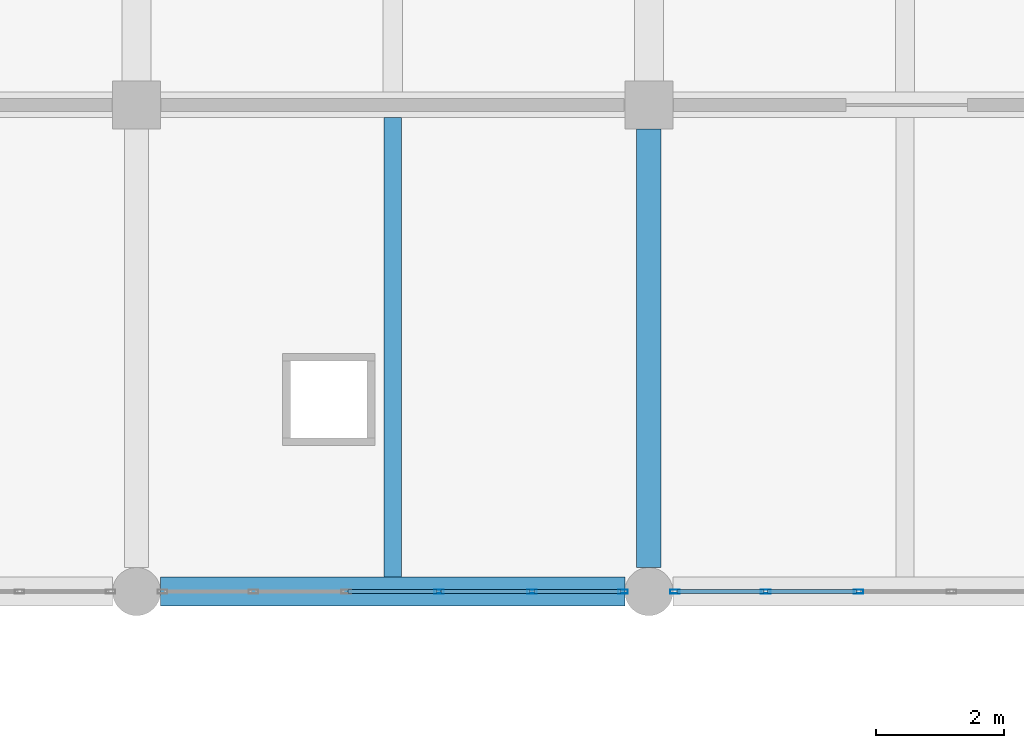
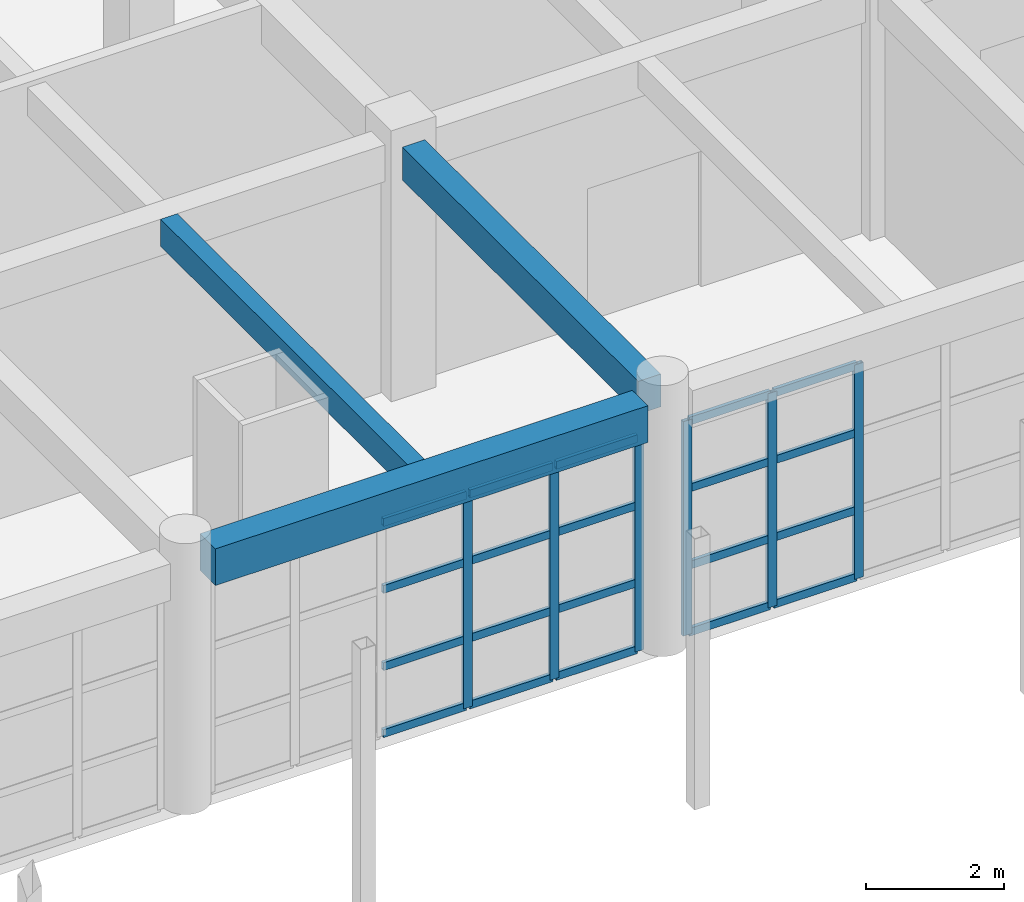
# One storey, part 57 of 101: 26 members, 3 beams, 2 elements without a shape of their own.
"""IFC4 building model written with IfcOpenShell, lengths in metres."""

from ifc_helpers import new_model, si_unit, direction, frame, origin, origin_2d, place, context, subcontext, project, spatial, rectangle, hollow_rectangle, extrude, material, material_profile, profile_set, type_object, element, aggregate, save


model = new_model("IFC4")

# Units and contexts
model_context = context("Model", 3, precision=1e-05, world=origin(), true_north=direction((0.0, 1.0)))
body_context = subcontext(model_context, "Body", "Model", "MODEL_VIEW")
ifc_project = project(units=[si_unit("LENGTHUNIT", "METRE"), si_unit("AREAUNIT", "SQUARE_METRE"), si_unit("VOLUMEUNIT", "CUBIC_METRE"), si_unit("PLANEANGLEUNIT", "RADIAN"), si_unit("MASSUNIT", "GRAM", prefix="KILO")], contexts=[model_context])

# Site, building, storey
site_placement = place(None, origin())
site = spatial("IfcSite", under=ifc_project, at=site_placement, CompositionType="ELEMENT")
building_placement = place(site_placement, origin())
building = spatial("IfcBuilding", under=site, at=building_placement, Name="Zantavel Square City Hall", CompositionType="ELEMENT")
storey_placement = place(building_placement, frame((0.0, 0.0, 5.39990234375)))
storey = spatial("IfcBuildingStorey", under=building, at=storey_placement, Name="L02", CompositionType="ELEMENT", Elevation=5.39990234375)

# Beam
ifc_material_1 = material(Name="Concrete C35/45", Category="concrete")
ifc_material_profile_1 = material_profile(ifc_material_1, rectangle(XDim=0.3798828125, YDim=0.580078125, at=origin_2d()), Name="RC 380x580")
ifc_profile_set_1 = profile_set([ifc_material_profile_1], Name="Concrete C35/45")
beam_type_1 = type_object("IfcBeamType", Name="Annex Secondary Beam RC 380x580 C35/45", PredefinedType="BEAM", material=ifc_profile_set_1)
beam_1_placement = place(storey_placement, frame((144.0, 68.77490234375, 4.16015625), z_axis=(0.0, 1.0, 0.0), x_axis=(-1.0, 0.0, 0.0)))
element("IfcBeam", 1, at=beam_1_placement, inside=storey, type_object=beam_type_1, Name="L02 Beam BMY-L02-1440-0684", PredefinedType="BEAM", context=body_context, shape_type="SweptSolid", body=[
    extrude(rectangle(XDim=0.3798828125, YDim=0.580078125, at=origin_2d()), origin(), (0.0, 0.0, 1.0), 6.85009765625),
])

# Curtain wall, members
ifc_material_2 = material(Name="Anodised aluminium 6063-T6", Category="aluminium")
curtain_wall_type = type_object("IfcCurtainWallType", Name="Curtain Wall CRT 7250x3800", PredefinedType="USERDEFINED", material=ifc_material_2)
curtain_wall_1_placement = place(storey_placement, origin())
curtain_wall_1 = element("IfcCurtainWall", 2, at=curtain_wall_1_placement, inside=storey, type_object=curtain_wall_type, Name="L02 Glazed Curtain Wall CW-L02-059", ObjectType="GLAZED CURTAIN WALL", PredefinedType="USERDEFINED")
ifc_material_profile_2 = material_profile(ifc_material_2, hollow_rectangle(XDim=0.06494140625, YDim=0.14990234375, WallThickness=0.00390625, at=origin_2d()), Name="ALU 65x150x4")
ifc_profile_set_2 = profile_set([ifc_material_profile_2], Name="Anodised aluminium 6063-T6")
member_type_1 = type_object("IfcMemberType", Name="CW Mullion ALU 65x150x4", PredefinedType="MULLION", material=ifc_profile_set_2)
member_1_placement = place(storey_placement, frame((147.27490234375, 68.39990234375, 0.0), z_axis=(0.0, 0.0, 1.0), x_axis=(0.0, -1.0, 0.0)))
member_1 = element("IfcMember", 3, at=member_1_placement, type_object=member_type_1, Name="CW-059 mullion 4", PredefinedType="MULLION", context=body_context, shape_type="SweptSolid", body=[
    extrude(hollow_rectangle(XDim=0.06494140625, YDim=0.14990234375, WallThickness=0.00390625, at=origin_2d()), origin(), (0.0, 0.0, 1.0), 3.800048828125),
])
member_2_placement = place(storey_placement, frame((145.824951171875, 68.39990234375, 0.0), z_axis=(0.0, 0.0, 1.0), x_axis=(0.0, -1.0, 0.0)))
member_2 = element("IfcMember", 4, at=member_2_placement, type_object=member_type_1, Name="CW-059 mullion 5", PredefinedType="MULLION", context=body_context, shape_type="SweptSolid", body=[
    extrude(hollow_rectangle(XDim=0.06494140625, YDim=0.14990234375, WallThickness=0.00390625, at=origin_2d()), origin(), (0.0, 0.0, 1.0), 3.800048828125),
])
member_3_placement = place(storey_placement, frame((144.405029296875, 68.39990234375, 0.0), z_axis=(0.0, 0.0, 1.0), x_axis=(0.0, -1.0, 0.0)))
member_3 = element("IfcMember", 5, at=member_3_placement, type_object=member_type_1, Name="CW-059 mullion 6", PredefinedType="MULLION", context=body_context, shape_type="SweptSolid", body=[
    extrude(hollow_rectangle(XDim=0.06494140625, YDim=0.14990234375, WallThickness=0.00390625, at=origin_2d()), origin(), (0.0, 0.0, 1.0), 3.800048828125),
])

curtain_wall_2_placement = place(storey_placement, origin())
curtain_wall_2 = element("IfcCurtainWall", 6, at=curtain_wall_2_placement, inside=storey, type_object=curtain_wall_type, Name="L02 Glazed Curtain Wall CW-L02-060", ObjectType="GLAZED CURTAIN WALL", PredefinedType="USERDEFINED")
member_4_placement = place(storey_placement, frame((143.594970703125, 68.39990234375, 0.0), z_axis=(0.0, 0.0, 1.0), x_axis=(0.0, -1.0, 0.0)))
member_4 = element("IfcMember", 7, at=member_4_placement, type_object=member_type_1, Name="CW-060 mullion 1", PredefinedType="MULLION", context=body_context, shape_type="SweptSolid", body=[
    extrude(hollow_rectangle(XDim=0.06494140625, YDim=0.14990234375, WallThickness=0.00390625, at=origin_2d()), origin(), (0.0, 0.0, 1.0), 3.800048828125),
])
member_5_placement = place(storey_placement, frame((142.175048828125, 68.39990234375, 0.0), z_axis=(0.0, 0.0, 1.0), x_axis=(0.0, -1.0, 0.0)))
member_5 = element("IfcMember", 8, at=member_5_placement, type_object=member_type_1, Name="CW-060 mullion 2", PredefinedType="MULLION", context=body_context, shape_type="SweptSolid", body=[
    extrude(hollow_rectangle(XDim=0.06494140625, YDim=0.14990234375, WallThickness=0.00390625, at=origin_2d()), origin(), (0.0, 0.0, 1.0), 3.800048828125),
])
member_6_placement = place(storey_placement, frame((140.72509765625, 68.39990234375, 0.0), z_axis=(0.0, 0.0, 1.0), x_axis=(0.0, -1.0, 0.0)))
member_6 = element("IfcMember", 9, at=member_6_placement, type_object=member_type_1, Name="CW-060 mullion 3", PredefinedType="MULLION", context=body_context, shape_type="SweptSolid", body=[
    extrude(hollow_rectangle(XDim=0.06494140625, YDim=0.14990234375, WallThickness=0.00390625, at=origin_2d()), origin(), (0.0, 0.0, 1.0), 3.800048828125),
])

# Member
ifc_material_profile_3 = material_profile(ifc_material_2, hollow_rectangle(XDim=0.06005859375, YDim=0.139892578125, WallThickness=0.00390625, at=origin_2d()), Name="ALU 60x140x4")
ifc_profile_set_3 = profile_set([ifc_material_profile_3], Name="Anodised aluminium 6063-T6")
member_type_2 = type_object("IfcMemberType", Name="CW Transom ALU 60x140x4", PredefinedType="USERDEFINED", material=ifc_profile_set_3)
member_7_placement = place(storey_placement, frame((147.2451171875, 68.39990234375, 0.030029296875), z_axis=(-1.0, 0.0, 0.0), x_axis=(0.0, -1.0, 0.0)))
member_7 = element("IfcMember", 10, at=member_7_placement, type_object=member_type_2, Name="CW-059 transom 4.1", ObjectType="TRANSOM", PredefinedType="USERDEFINED", context=body_context, shape_type="SweptSolid", body=[
    extrude(hollow_rectangle(XDim=0.06005859375, YDim=0.139892578125, WallThickness=0.00390625, at=origin_2d()), origin(), (0.0, 0.0, 1.0), 1.39013671875),
])

member_8_placement = place(storey_placement, frame((147.2451171875, 68.39990234375, 1.216064453125), z_axis=(-1.0, 0.0, 0.0), x_axis=(0.0, -1.0, 0.0)))
member_8 = element("IfcMember", 11, at=member_8_placement, type_object=member_type_2, Name="CW-059 transom 4.2", ObjectType="TRANSOM", PredefinedType="USERDEFINED", context=body_context, shape_type="SweptSolid", body=[
    extrude(hollow_rectangle(XDim=0.06005859375, YDim=0.139892578125, WallThickness=0.00390625, at=origin_2d()), origin(), (0.0, 0.0, 1.0), 1.39013671875),
])

member_9_placement = place(storey_placement, frame((147.2451171875, 68.39990234375, 2.583984375), z_axis=(-1.0, 0.0, 0.0), x_axis=(0.0, -1.0, 0.0)))
member_9 = element("IfcMember", 12, at=member_9_placement, type_object=member_type_2, Name="CW-059 transom 4.3", ObjectType="TRANSOM", PredefinedType="USERDEFINED", context=body_context, shape_type="SweptSolid", body=[
    extrude(hollow_rectangle(XDim=0.06005859375, YDim=0.139892578125, WallThickness=0.00390625, at=origin_2d()), origin(), (0.0, 0.0, 1.0), 1.39013671875),
])

member_10_placement = place(storey_placement, frame((147.2451171875, 68.39990234375, 3.77001953125), z_axis=(-1.0, 0.0, 0.0), x_axis=(0.0, -1.0, 0.0)))
member_10 = element("IfcMember", 13, at=member_10_placement, type_object=member_type_2, Name="CW-059 transom 4.4", ObjectType="TRANSOM", PredefinedType="USERDEFINED", context=body_context, shape_type="SweptSolid", body=[
    extrude(hollow_rectangle(XDim=0.06005859375, YDim=0.139892578125, WallThickness=0.00390625, at=origin_2d()), origin(), (0.0, 0.0, 1.0), 1.39013671875),
])

member_11_placement = place(storey_placement, frame((145.794921875, 68.39990234375, 0.030029296875), z_axis=(-1.0, 0.0, 0.0), x_axis=(0.0, -1.0, 0.0)))
member_11 = element("IfcMember", 14, at=member_11_placement, type_object=member_type_2, Name="CW-059 transom 5.1", ObjectType="TRANSOM", PredefinedType="USERDEFINED", context=body_context, shape_type="SweptSolid", body=[
    extrude(hollow_rectangle(XDim=0.06005859375, YDim=0.139892578125, WallThickness=0.00390625, at=origin_2d()), origin(), (0.0, 0.0, 1.0), 1.35986328125),
])

member_12_placement = place(storey_placement, frame((145.794921875, 68.39990234375, 1.216064453125), z_axis=(-1.0, 0.0, 0.0), x_axis=(0.0, -1.0, 0.0)))
member_12 = element("IfcMember", 15, at=member_12_placement, type_object=member_type_2, Name="CW-059 transom 5.2", ObjectType="TRANSOM", PredefinedType="USERDEFINED", context=body_context, shape_type="SweptSolid", body=[
    extrude(hollow_rectangle(XDim=0.06005859375, YDim=0.139892578125, WallThickness=0.00390625, at=origin_2d()), origin(), (0.0, 0.0, 1.0), 1.35986328125),
])

member_13_placement = place(storey_placement, frame((145.794921875, 68.39990234375, 2.583984375), z_axis=(-1.0, 0.0, 0.0), x_axis=(0.0, -1.0, 0.0)))
member_13 = element("IfcMember", 16, at=member_13_placement, type_object=member_type_2, Name="CW-059 transom 5.3", ObjectType="TRANSOM", PredefinedType="USERDEFINED", context=body_context, shape_type="SweptSolid", body=[
    extrude(hollow_rectangle(XDim=0.06005859375, YDim=0.139892578125, WallThickness=0.00390625, at=origin_2d()), origin(), (0.0, 0.0, 1.0), 1.35986328125),
])

member_14_placement = place(storey_placement, frame((145.794921875, 68.39990234375, 3.77001953125), z_axis=(-1.0, 0.0, 0.0), x_axis=(0.0, -1.0, 0.0)))
member_14 = element("IfcMember", 17, at=member_14_placement, type_object=member_type_2, Name="CW-059 transom 5.4", ObjectType="TRANSOM", PredefinedType="USERDEFINED", context=body_context, shape_type="SweptSolid", body=[
    extrude(hollow_rectangle(XDim=0.06005859375, YDim=0.139892578125, WallThickness=0.00390625, at=origin_2d()), origin(), (0.0, 0.0, 1.0), 1.35986328125),
])

aggregate(curtain_wall_1, [member_1, member_2, member_3, member_7, member_8, member_9, member_10, member_11, member_12, member_13, member_14])

member_15_placement = place(storey_placement, frame((143.56494140625, 68.39990234375, 0.030029296875), z_axis=(-1.0, 0.0, 0.0), x_axis=(0.0, -1.0, 0.0)))
member_15 = element("IfcMember", 18, at=member_15_placement, type_object=member_type_2, Name="CW-060 transom 1.1", ObjectType="TRANSOM", PredefinedType="USERDEFINED", context=body_context, shape_type="SweptSolid", body=[
    extrude(hollow_rectangle(XDim=0.06005859375, YDim=0.139892578125, WallThickness=0.00390625, at=origin_2d()), origin(), (0.0, 0.0, 1.0), 1.35986328125),
])

member_16_placement = place(storey_placement, frame((143.56494140625, 68.39990234375, 1.216064453125), z_axis=(-1.0, 0.0, 0.0), x_axis=(0.0, -1.0, 0.0)))
member_16 = element("IfcMember", 19, at=member_16_placement, type_object=member_type_2, Name="CW-060 transom 1.2", ObjectType="TRANSOM", PredefinedType="USERDEFINED", context=body_context, shape_type="SweptSolid", body=[
    extrude(hollow_rectangle(XDim=0.06005859375, YDim=0.139892578125, WallThickness=0.00390625, at=origin_2d()), origin(), (0.0, 0.0, 1.0), 1.35986328125),
])

member_17_placement = place(storey_placement, frame((143.56494140625, 68.39990234375, 2.583984375), z_axis=(-1.0, 0.0, 0.0), x_axis=(0.0, -1.0, 0.0)))
member_17 = element("IfcMember", 20, at=member_17_placement, type_object=member_type_2, Name="CW-060 transom 1.3", ObjectType="TRANSOM", PredefinedType="USERDEFINED", context=body_context, shape_type="SweptSolid", body=[
    extrude(hollow_rectangle(XDim=0.06005859375, YDim=0.139892578125, WallThickness=0.00390625, at=origin_2d()), origin(), (0.0, 0.0, 1.0), 1.35986328125),
])

member_18_placement = place(storey_placement, frame((143.56494140625, 68.39990234375, 3.77001953125), z_axis=(-1.0, 0.0, 0.0), x_axis=(0.0, -1.0, 0.0)))
member_18 = element("IfcMember", 21, at=member_18_placement, type_object=member_type_2, Name="CW-060 transom 1.4", ObjectType="TRANSOM", PredefinedType="USERDEFINED", context=body_context, shape_type="SweptSolid", body=[
    extrude(hollow_rectangle(XDim=0.06005859375, YDim=0.139892578125, WallThickness=0.00390625, at=origin_2d()), origin(), (0.0, 0.0, 1.0), 1.35986328125),
])

member_19_placement = place(storey_placement, frame((142.14501953125, 68.39990234375, 0.030029296875), z_axis=(-1.0, 0.0, 0.0), x_axis=(0.0, -1.0, 0.0)))
member_19 = element("IfcMember", 22, at=member_19_placement, type_object=member_type_2, Name="CW-060 transom 2.1", ObjectType="TRANSOM", PredefinedType="USERDEFINED", context=body_context, shape_type="SweptSolid", body=[
    extrude(hollow_rectangle(XDim=0.06005859375, YDim=0.139892578125, WallThickness=0.00390625, at=origin_2d()), origin(), (0.0, 0.0, 1.0), 1.39013671875),
])

member_20_placement = place(storey_placement, frame((142.14501953125, 68.39990234375, 1.216064453125), z_axis=(-1.0, 0.0, 0.0), x_axis=(0.0, -1.0, 0.0)))
member_20 = element("IfcMember", 23, at=member_20_placement, type_object=member_type_2, Name="CW-060 transom 2.2", ObjectType="TRANSOM", PredefinedType="USERDEFINED", context=body_context, shape_type="SweptSolid", body=[
    extrude(hollow_rectangle(XDim=0.06005859375, YDim=0.139892578125, WallThickness=0.00390625, at=origin_2d()), origin(), (0.0, 0.0, 1.0), 1.39013671875),
])

member_21_placement = place(storey_placement, frame((142.14501953125, 68.39990234375, 2.583984375), z_axis=(-1.0, 0.0, 0.0), x_axis=(0.0, -1.0, 0.0)))
member_21 = element("IfcMember", 24, at=member_21_placement, type_object=member_type_2, Name="CW-060 transom 2.3", ObjectType="TRANSOM", PredefinedType="USERDEFINED", context=body_context, shape_type="SweptSolid", body=[
    extrude(hollow_rectangle(XDim=0.06005859375, YDim=0.139892578125, WallThickness=0.00390625, at=origin_2d()), origin(), (0.0, 0.0, 1.0), 1.39013671875),
])

member_22_placement = place(storey_placement, frame((142.14501953125, 68.39990234375, 3.77001953125), z_axis=(-1.0, 0.0, 0.0), x_axis=(0.0, -1.0, 0.0)))
member_22 = element("IfcMember", 25, at=member_22_placement, type_object=member_type_2, Name="CW-060 transom 2.4", ObjectType="TRANSOM", PredefinedType="USERDEFINED", context=body_context, shape_type="SweptSolid", body=[
    extrude(hollow_rectangle(XDim=0.06005859375, YDim=0.139892578125, WallThickness=0.00390625, at=origin_2d()), origin(), (0.0, 0.0, 1.0), 1.39013671875),
])

member_23_placement = place(storey_placement, frame((140.695068359375, 68.39990234375, 0.030029296875), z_axis=(-1.0, 0.0, 0.0), x_axis=(0.0, -1.0, 0.0)))
member_23 = element("IfcMember", 26, at=member_23_placement, type_object=member_type_2, Name="CW-060 transom 3.1", ObjectType="TRANSOM", PredefinedType="USERDEFINED", context=body_context, shape_type="SweptSolid", body=[
    extrude(hollow_rectangle(XDim=0.06005859375, YDim=0.139892578125, WallThickness=0.00390625, at=origin_2d()), origin(), (0.0, 0.0, 1.0), 1.39013671875),
])

member_24_placement = place(storey_placement, frame((140.695068359375, 68.39990234375, 1.216064453125), z_axis=(-1.0, 0.0, 0.0), x_axis=(0.0, -1.0, 0.0)))
member_24 = element("IfcMember", 27, at=member_24_placement, type_object=member_type_2, Name="CW-060 transom 3.2", ObjectType="TRANSOM", PredefinedType="USERDEFINED", context=body_context, shape_type="SweptSolid", body=[
    extrude(hollow_rectangle(XDim=0.06005859375, YDim=0.139892578125, WallThickness=0.00390625, at=origin_2d()), origin(), (0.0, 0.0, 1.0), 1.39013671875),
])

member_25_placement = place(storey_placement, frame((140.695068359375, 68.39990234375, 2.583984375), z_axis=(-1.0, 0.0, 0.0), x_axis=(0.0, -1.0, 0.0)))
member_25 = element("IfcMember", 28, at=member_25_placement, type_object=member_type_2, Name="CW-060 transom 3.3", ObjectType="TRANSOM", PredefinedType="USERDEFINED", context=body_context, shape_type="SweptSolid", body=[
    extrude(hollow_rectangle(XDim=0.06005859375, YDim=0.139892578125, WallThickness=0.00390625, at=origin_2d()), origin(), (0.0, 0.0, 1.0), 1.39013671875),
])

member_26_placement = place(storey_placement, frame((140.695068359375, 68.39990234375, 3.77001953125), z_axis=(-1.0, 0.0, 0.0), x_axis=(0.0, -1.0, 0.0)))
member_26 = element("IfcMember", 29, at=member_26_placement, type_object=member_type_2, Name="CW-060 transom 3.4", ObjectType="TRANSOM", PredefinedType="USERDEFINED", context=body_context, shape_type="SweptSolid", body=[
    extrude(hollow_rectangle(XDim=0.06005859375, YDim=0.139892578125, WallThickness=0.00390625, at=origin_2d()), origin(), (0.0, 0.0, 1.0), 1.39013671875),
])

aggregate(curtain_wall_2, [member_4, member_5, member_6, member_15, member_16, member_17, member_18, member_19, member_20, member_21, member_22, member_23, member_24, member_25, member_26])

# Beams
ifc_material_profile_4 = material_profile(ifc_material_1, rectangle(XDim=0.449951171875, YDim=0.64990234375, at=origin_2d()), Name="RC 450x650")
ifc_profile_set_4 = profile_set([ifc_material_profile_4], Name="Concrete C35/45")
beam_type_2 = type_object("IfcBeamType", Name="Courtyard Cloister Girder RC 450x650 C35/45", PredefinedType="BEAM", material=ifc_profile_set_4)
beam_2_placement = place(storey_placement, frame((136.375, 68.39990234375, 4.125), z_axis=(1.0, 0.0, 0.0), x_axis=(0.0, 1.0, 0.0)))
element("IfcBeam", 30, at=beam_2_placement, inside=storey, type_object=beam_type_2, Name="L02 Girder BMX-L02-1360-0684", PredefinedType="BEAM", context=body_context, shape_type="SweptSolid", body=[
    extrude(rectangle(XDim=0.449951171875, YDim=0.64990234375, at=origin_2d()), origin(), (0.0, 0.0, 1.0), 7.25),
])
ifc_material_profile_5 = material_profile(ifc_material_1, rectangle(XDim=0.280029296875, YDim=0.47998046875, at=origin_2d()), Name="RC 280x480")
ifc_profile_set_5 = profile_set([ifc_material_profile_5], Name="Concrete C35/45")
beam_type_3 = type_object("IfcBeamType", Name="Terrace Deck Joist RC 280x480 C35/45", PredefinedType="JOIST", material=ifc_profile_set_5)
beam_3_placement = place(storey_placement, frame((140.0, 68.625, 4.210205078125), z_axis=(0.0, 1.0, 0.0), x_axis=(-1.0, 0.0, 0.0)))
element("IfcBeam", 31, at=beam_3_placement, inside=storey, type_object=beam_type_3, Name="L02 Floor Joist JST-L02-1400-0684", PredefinedType="JOIST", context=body_context, shape_type="SweptSolid", body=[
    extrude(rectangle(XDim=0.280029296875, YDim=0.47998046875, at=origin_2d()), origin(), (0.0, 0.0, 1.0), 7.175048828125),
])

save(model, "model.ifc")
